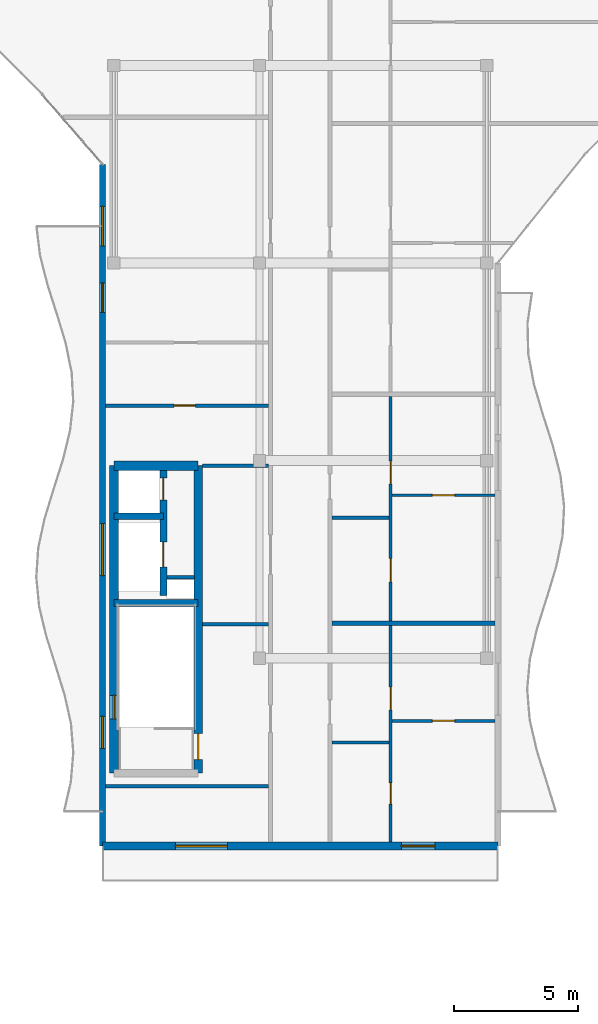
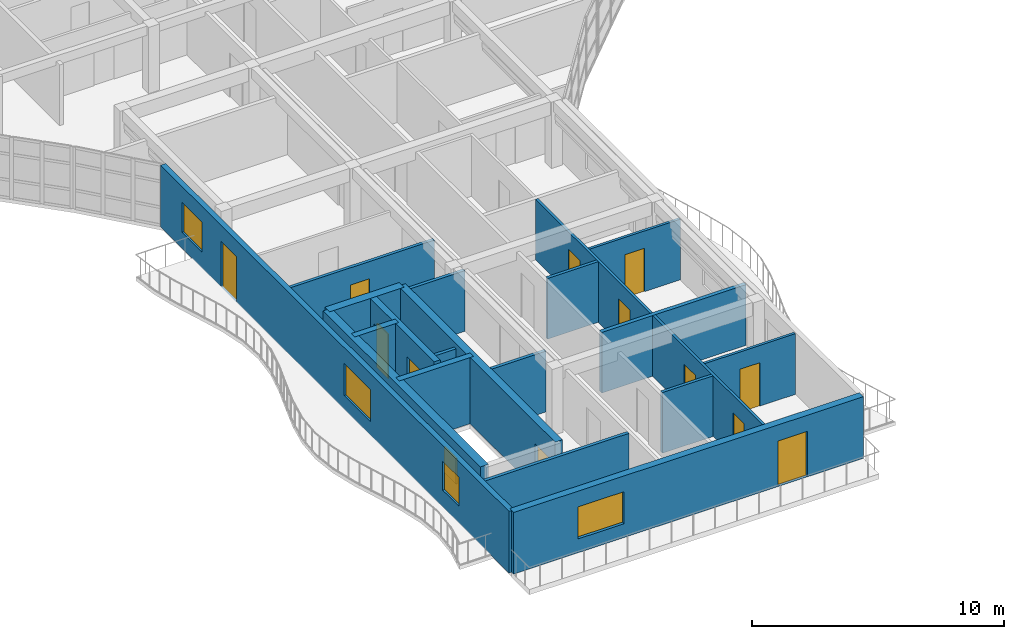
# One storey, part 15 of 30: 20 walls, 12 doors, 5 windows, 17 openings.
"""IFC4 building model written with IfcOpenShell, lengths in metres."""

from ifc_helpers import new_model, si_unit, direction, frame, frame_2d, origin, place, context, subcontext, project, spatial, rectangle, extrude, material, layer, layer_set, type_object, element, fill, save


model = new_model("IFC4")

# Units and contexts
model_context = context("Model", 3, precision=1e-05, world=origin(), true_north=direction((0.0, 1.0)))
body_context = subcontext(model_context, "Body", "Model", "MODEL_VIEW")
ifc_project = project(units=[si_unit("LENGTHUNIT", "METRE"), si_unit("AREAUNIT", "SQUARE_METRE"), si_unit("VOLUMEUNIT", "CUBIC_METRE"), si_unit("PLANEANGLEUNIT", "RADIAN"), si_unit("MASSUNIT", "GRAM", prefix="KILO")], contexts=[model_context])

# Site, building, storey
site_placement = place(None, origin())
site = spatial("IfcSite", under=ifc_project, at=site_placement, CompositionType="ELEMENT")
building_placement = place(site_placement, origin())
building = spatial("IfcBuilding", under=site, at=building_placement, Name="Keldmere Railside Commons", CompositionType="ELEMENT")
storey_placement = place(building_placement, frame((0.0, 0.0, 36.159912109375)))
storey = spatial("IfcBuildingStorey", under=building, at=storey_placement, Name="L11", CompositionType="ELEMENT", Elevation=36.159912109375)

# Wall
ifc_material_1 = material(Name="Acoustic Gypsum Board Partition", Category="gypsum")
ifc_layer_1 = layer(ifc_material_1, 0.179931640625, Name="Acoustic Demising Partition 180")
ifc_layer_set_1 = layer_set([ifc_layer_1], Name="Acoustic Gypsum Board Partition")
wall_type_1 = type_object("IfcWallType", Name="Acoustic Demising Partition 180", PredefinedType="PARTITIONING", material=ifc_layer_set_1)
wall_1_placement = place(storey_placement, frame((113.280029296875, 73.409912109375, 0.0), z_axis=(0.0, 0.0, 1.0), x_axis=(1.0, 0.0, 0.0)))
element("IfcWall", 1, at=wall_1_placement, inside=storey, type_object=wall_type_1, Name="IW-1 IW-L11-1366", PredefinedType="PARTITIONING", context=body_context, shape_type="SweptSolid", body=[
    extrude(rectangle(XDim=6.599853515625, YDim=0.179931640625, at=frame_2d((3.2998046875, 0.0))), origin(), (0.0, 0.0, 1.0), 2.93505859375),
])

# Wall, openings, doors
ifc_layer_2 = layer(ifc_material_1, 0.1201171875, Name="Apartment Interior Partition 120")
ifc_layer_set_2 = layer_set([ifc_layer_2], Name="Acoustic Gypsum Board Partition")
wall_type_2 = type_object("IfcWallType", Name="Apartment Interior Partition 120", PredefinedType="PARTITIONING", material=ifc_layer_set_2)
wall_2_placement = place(storey_placement, frame((115.659912109375, 64.56005859375, 0.0), z_axis=(0.0, 0.0, 1.0), x_axis=(0.0, 1.0, 0.0)))
wall_2 = element("IfcWall", 2, at=wall_2_placement, inside=storey, type_object=wall_type_2, Name="IW-4 IW-L11-1369", PredefinedType="PARTITIONING", context=body_context, shape_type="SweptSolid", body=[
    extrude(rectangle(XDim=8.760009765625, YDim=0.1201171875, at=frame_2d((4.3798828125, 0.0))), origin(), (0.0, 0.0, 1.0), 2.93505859375),
])
opening_1_placement = place(wall_2_placement, frame((1.531494140625, 0.0, 0.0)))
opening_1 = element("IfcOpeningElement", 3, at=opening_1_placement, cuts=wall_2, Name="Opening ID-04", PredefinedType="OPENING", context=body_context, shape_type="SweptSolid", body=[
    extrude(rectangle(XDim=0.860107421875, YDim=2.10009765625, at=frame_2d((0.43017578125, 1.050048828125))), frame((0.0, 0.070068359375, 0.0), z_axis=(0.0, -1.0, 0.0), x_axis=(1.0, 0.0, 0.0)), (0.0, 0.0, 1.0), 0.14013671875),
])
opening_2_placement = place(wall_2_placement, frame((5.3544921875, 0.0, 0.0)))
opening_2 = element("IfcOpeningElement", 4, at=opening_2_placement, cuts=wall_2, Name="Opening ID-03", PredefinedType="OPENING", context=body_context, shape_type="SweptSolid", body=[
    extrude(rectangle(XDim=0.919921875, YDim=2.10009765625, at=frame_2d((0.4599609375, 1.050048828125))), frame((0.0, 0.070068359375, 0.0), z_axis=(0.0, -1.0, 0.0), x_axis=(1.0, 0.0, 0.0)), (0.0, 0.0, 1.0), 0.14013671875),
])
ifc_material_2 = material(Name="Engineered Oak Timber", Category="wood")
door_type_1 = type_object("IfcDoorType", Name="Apartment Bathroom Door 860x2100", OperationType="NOTDEFINED", PredefinedType="DOOR", material=ifc_material_2)
door_1_placement = place(opening_1_placement, origin())
door_1 = element("IfcDoor", 5, at=door_1_placement, inside=storey, type_object=door_type_1, Name="ID-04 IDR-L11-1218", OperationType="SINGLE_SWING_RIGHT", OverallHeight=2.10009765625, OverallWidth=0.860107421875, PredefinedType="DOOR", context=body_context, shape_type="SweptSolid", body=[
    extrude(rectangle(XDim=0.860107421875, YDim=2.10009765625, at=frame_2d((0.43017578125, 1.050048828125))), frame((0.0, 0.02490234375, 0.0), z_axis=(0.0, -1.0, 0.0), x_axis=(1.0, 0.0, 0.0)), (0.0, 0.0, 1.0), 0.050048828125),
])
fill(opening_1, door_1)
door_type_2 = type_object("IfcDoorType", Name="Kitchen Pocket-Frame Swing Door 920x2100", OperationType="NOTDEFINED", PredefinedType="DOOR", material=ifc_material_2)
door_2_placement = place(opening_2_placement, origin())
door_2 = element("IfcDoor", 6, at=door_2_placement, inside=storey, type_object=door_type_2, Name="ID-03 IDR-L11-1219", OperationType="SINGLE_SWING_LEFT", OverallHeight=2.10009765625, OverallWidth=0.919921875, PredefinedType="DOOR", context=body_context, shape_type="SweptSolid", body=[
    extrude(rectangle(XDim=0.919921875, YDim=2.10009765625, at=frame_2d((0.4599609375, 1.050048828125))), frame((0.0, 0.02490234375, 0.0), z_axis=(0.0, -1.0, 0.0), x_axis=(1.0, 0.0, 0.0)), (0.0, 0.0, 1.0), 0.050048828125),
])
fill(opening_2, door_2)

# Wall, opening, door
wall_3_placement = place(storey_placement, frame((115.719970703125, 69.469970703125, 0.0), z_axis=(0.0, 0.0, 1.0), x_axis=(1.0, 0.0, 0.0)))
wall_3 = element("IfcWall", 7, at=wall_3_placement, inside=storey, type_object=wall_type_2, Name="IW-4 IW-L11-1371", PredefinedType="PARTITIONING", context=body_context, shape_type="SweptSolid", body=[
    extrude(rectangle(XDim=4.159912109375, YDim=0.1201171875, at=frame_2d((2.080078125, 0.0))), origin(), (0.0, 0.0, 1.0), 2.93505859375),
])
opening_3_placement = place(wall_3_placement, frame((1.6298828125, 0.0, 0.0)))
opening_3 = element("IfcOpeningElement", 8, at=opening_3_placement, cuts=wall_3, Name="Opening ID-01", PredefinedType="OPENING", context=body_context, shape_type="SweptSolid", body=[
    extrude(rectangle(XDim=0.89990234375, YDim=2.10009765625, at=frame_2d((0.449951171875, 1.050048828125))), frame((0.0, 0.070068359375, 0.0), z_axis=(0.0, -1.0, 0.0), x_axis=(1.0, 0.0, 0.0)), (0.0, 0.0, 1.0), 0.14013671875),
])
door_type_3 = type_object("IfcDoorType", Name="Primary Bedroom Door 900x2100", OperationType="NOTDEFINED", PredefinedType="DOOR", material=ifc_material_2)
door_3_placement = place(opening_3_placement, origin())
door_3 = element("IfcDoor", 9, at=door_3_placement, inside=storey, type_object=door_type_3, Name="ID-01 IDR-L11-1221", OperationType="SINGLE_SWING_LEFT", OverallHeight=2.10009765625, OverallWidth=0.89990234375, PredefinedType="DOOR", context=body_context, shape_type="SweptSolid", body=[
    extrude(rectangle(XDim=0.89990234375, YDim=2.10009765625, at=frame_2d((0.449951171875, 1.050048828125))), frame((0.0, 0.02490234375, 0.0), z_axis=(0.0, -1.0, 0.0), x_axis=(1.0, 0.0, 0.0)), (0.0, 0.0, 1.0), 0.050048828125),
])
fill(opening_3, door_3)

# Wall, openings, doors
wall_4_placement = place(storey_placement, frame((115.659912109375, 73.5, 0.0), z_axis=(0.0, 0.0, 1.0), x_axis=(0.0, 1.0, 0.0)))
wall_4 = element("IfcWall", 10, at=wall_4_placement, inside=storey, type_object=wall_type_2, Name="IW-4 IW-L11-1372", PredefinedType="PARTITIONING", context=body_context, shape_type="SweptSolid", body=[
    extrude(rectangle(XDim=9.10009765625, YDim=0.1201171875, at=frame_2d((4.550048828125, 0.0))), origin(), (0.0, 0.0, 1.0), 2.93505859375),
])
opening_4_placement = place(wall_4_placement, frame((1.59228515625, 0.0, 0.0)))
opening_4 = element("IfcOpeningElement", 11, at=opening_4_placement, cuts=wall_4, Name="Opening ID-05", PredefinedType="OPENING", context=body_context, shape_type="SweptSolid", body=[
    extrude(rectangle(XDim=0.93994140625, YDim=2.10009765625, at=frame_2d((0.469970703125, 1.050048828125))), frame((0.0, 0.070068359375, 0.0), z_axis=(0.0, -1.0, 0.0), x_axis=(1.0, 0.0, 0.0)), (0.0, 0.0, 1.0), 0.14013671875),
])
opening_5_placement = place(wall_4_placement, frame((5.564697265625, 0.0, 0.0)))
opening_5 = element("IfcOpeningElement", 12, at=opening_5_placement, cuts=wall_4, Name="Opening ID-03", PredefinedType="OPENING", context=body_context, shape_type="SweptSolid", body=[
    extrude(rectangle(XDim=0.919921875, YDim=2.10009765625, at=frame_2d((0.4599609375, 1.050048828125))), frame((0.0, 0.070068359375, 0.0), z_axis=(0.0, -1.0, 0.0), x_axis=(1.0, 0.0, 0.0)), (0.0, 0.0, 1.0), 0.14013671875),
])
door_type_4 = type_object("IfcDoorType", Name="Accessible Bathroom Door 940x2100", OperationType="NOTDEFINED", PredefinedType="DOOR", material=ifc_material_2)
door_4_placement = place(opening_4_placement, origin())
door_4 = element("IfcDoor", 13, at=door_4_placement, inside=storey, type_object=door_type_4, Name="ID-05 IDR-L11-1222", OperationType="SINGLE_SWING_RIGHT", OverallHeight=2.10009765625, OverallWidth=0.93994140625, PredefinedType="DOOR", context=body_context, shape_type="SweptSolid", body=[
    extrude(rectangle(XDim=0.93994140625, YDim=2.10009765625, at=frame_2d((0.469970703125, 1.050048828125))), frame((0.0, 0.02490234375, 0.0), z_axis=(0.0, -1.0, 0.0), x_axis=(1.0, 0.0, 0.0)), (0.0, 0.0, 1.0), 0.050048828125),
])
fill(opening_4, door_4)
door_5_placement = place(opening_5_placement, origin())
door_5 = element("IfcDoor", 14, at=door_5_placement, inside=storey, type_object=door_type_2, Name="ID-03 IDR-L11-1223", OperationType="SINGLE_SWING_LEFT", OverallHeight=2.10009765625, OverallWidth=0.919921875, PredefinedType="DOOR", context=body_context, shape_type="SweptSolid", body=[
    extrude(rectangle(XDim=0.919921875, YDim=2.10009765625, at=frame_2d((0.4599609375, 1.050048828125))), frame((0.0, 0.02490234375, 0.0), z_axis=(0.0, -1.0, 0.0), x_axis=(1.0, 0.0, 0.0)), (0.0, 0.0, 1.0), 0.050048828125),
])
fill(opening_5, door_5)

# Wall, opening, door
wall_5_placement = place(storey_placement, frame((115.719970703125, 78.60009765625, 0.0), z_axis=(0.0, 0.0, 1.0), x_axis=(1.0, 0.0, 0.0)))
wall_5 = element("IfcWall", 15, at=wall_5_placement, inside=storey, type_object=wall_type_2, Name="IW-4 IW-L11-1374", PredefinedType="PARTITIONING", context=body_context, shape_type="SweptSolid", body=[
    extrude(rectangle(XDim=4.159912109375, YDim=0.1201171875, at=frame_2d((2.080078125, 0.0))), origin(), (0.0, 0.0, 1.0), 2.93505859375),
])
opening_6_placement = place(wall_5_placement, frame((1.6298828125, 0.0, 0.0)))
opening_6 = element("IfcOpeningElement", 16, at=opening_6_placement, cuts=wall_5, Name="Opening ID-01", PredefinedType="OPENING", context=body_context, shape_type="SweptSolid", body=[
    extrude(rectangle(XDim=0.89990234375, YDim=2.10009765625, at=frame_2d((0.449951171875, 1.050048828125))), frame((0.0, 0.070068359375, 0.0), z_axis=(0.0, -1.0, 0.0), x_axis=(1.0, 0.0, 0.0)), (0.0, 0.0, 1.0), 0.14013671875),
])
door_6_placement = place(opening_6_placement, origin())
door_6 = element("IfcDoor", 17, at=door_6_placement, inside=storey, type_object=door_type_3, Name="ID-01 IDR-L11-1225", OperationType="SINGLE_SWING_LEFT", OverallHeight=2.10009765625, OverallWidth=0.89990234375, PredefinedType="DOOR", context=body_context, shape_type="SweptSolid", body=[
    extrude(rectangle(XDim=0.89990234375, YDim=2.10009765625, at=frame_2d((0.449951171875, 1.050048828125))), frame((0.0, 0.02490234375, 0.0), z_axis=(0.0, -1.0, 0.0), x_axis=(1.0, 0.0, 0.0)), (0.0, 0.0, 1.0), 0.050048828125),
])
fill(opening_6, door_6)

# Walls
ifc_material_3 = material(Name="Concrete H-35 (C35/45)", Category="concrete")
ifc_layer_3 = layer(ifc_material_3, 0.280029296875, Name="Core Shear Wall 280")
ifc_layer_set_3 = layer_set([ifc_layer_3], Name="Concrete H-35 (C35/45)")
wall_type_3 = type_object("IfcWallType", Name="Core Shear Wall 280", PredefinedType="SHEAR", material=ifc_layer_set_3)
wall_6_placement = place(storey_placement, frame((104.4599609375, 74.239990234375, 0.0), z_axis=(0.0, 0.0, 1.0), x_axis=(1.0, 0.0, 0.0)))
element("IfcWall", 18, at=wall_6_placement, inside=storey, type_object=wall_type_3, Name="CSW-2 COREBM-L11-0568", PredefinedType="SHEAR", context=body_context, shape_type="SweptSolid", body=[
    extrude(rectangle(XDim=3.41015625, YDim=0.280029296875, at=frame_2d((1.705078125, 0.0))), origin(), (0.0, 0.0, 1.0), 3.2001953125),
])
wall_7_placement = place(storey_placement, frame((104.4599609375, 77.75, 0.0), z_axis=(0.0, 0.0, 1.0), x_axis=(1.0, 0.0, 0.0)))
element("IfcWall", 19, at=wall_7_placement, inside=storey, type_object=wall_type_3, Name="CSW-2 COREBL-L11-0569", PredefinedType="SHEAR", context=body_context, shape_type="SweptSolid", body=[
    extrude(rectangle(XDim=2.0, YDim=0.280029296875, at=frame_2d((1.0, 0.0))), origin(), (0.0, 0.0, 1.0), 3.2001953125),
])

# Wall, openings, doors
wall_8_placement = place(storey_placement, frame((106.4599609375, 74.550048828125, 0.0), z_axis=(0.0, 0.0, 1.0), x_axis=(0.0, 1.0, 0.0)))
wall_8 = element("IfcWall", 20, at=wall_8_placement, inside=storey, type_object=wall_type_3, Name="CSW-2 LSHB-L11-0570", PredefinedType="SHEAR", context=body_context, shape_type="SweptSolid", body=[
    extrude(rectangle(XDim=5.25, YDim=0.280029296875, at=frame_2d((2.625, 0.0))), origin(), (0.0, 0.0, 1.0), 3.2001953125),
])
opening_7_placement = place(wall_8_placement, frame((1.14990234375, 0.0, 0.0)))
opening_7 = element("IfcOpeningElement", 21, at=opening_7_placement, cuts=wall_8, Name="Opening LD-1", PredefinedType="OPENING", context=body_context, shape_type="SweptSolid", body=[
    extrude(rectangle(XDim=1.0, YDim=2.14990234375, at=frame_2d((0.5, 1.074951171875))), frame((0.0, 0.14990234375, 0.0), z_axis=(0.0, -1.0, 0.0), x_axis=(1.0, 0.0, 0.0)), (0.0, 0.0, 1.0), 0.300048828125),
])
opening_8_placement = place(wall_8_placement, frame((3.85009765625, 0.0, 0.0)))
opening_8 = element("IfcOpeningElement", 22, at=opening_8_placement, cuts=wall_8, Name="Opening LD-2", PredefinedType="OPENING", context=body_context, shape_type="SweptSolid", body=[
    extrude(rectangle(XDim=0.89990234375, YDim=2.14990234375, at=frame_2d((0.449951171875, 1.074951171875))), frame((0.0, 0.14990234375, 0.0), z_axis=(0.0, -1.0, 0.0), x_axis=(1.0, 0.0, 0.0)), (0.0, 0.0, 1.0), 0.300048828125),
])
ifc_material_4 = material(Name="Steel F-24 (S235)", Category="steel")
door_type_5 = type_object("IfcDoorType", Name="Firefighting Stretcher Lift Landing Door 1000x2150", OperationType="SLIDING_TO_LEFT", PredefinedType="DOOR", material=ifc_material_4)
door_7_placement = place(opening_7_placement, origin())
door_7 = element("IfcDoor", 23, at=door_7_placement, inside=storey, type_object=door_type_5, Name="LD-1 B L11", OperationType="SLIDING_TO_LEFT", OverallHeight=2.14990234375, OverallWidth=1.0, PredefinedType="DOOR", context=body_context, shape_type="SweptSolid", body=[
    extrude(rectangle(XDim=1.0, YDim=2.14990234375, at=frame_2d((0.5, 1.074951171875))), frame((0.0, 0.02490234375, 0.0), z_axis=(0.0, -1.0, 0.0), x_axis=(1.0, 0.0, 0.0)), (0.0, 0.0, 1.0), 0.050048828125),
])
fill(opening_7, door_7)
door_type_6 = type_object("IfcDoorType", Name="Passenger Lift Sliding Landing Door 900x2150", OperationType="SLIDING_TO_RIGHT", PredefinedType="DOOR", material=ifc_material_4)
door_8_placement = place(opening_8_placement, origin())
door_8 = element("IfcDoor", 24, at=door_8_placement, inside=storey, type_object=door_type_6, Name="LD-2 B L11", OperationType="SLIDING_TO_RIGHT", OverallHeight=2.14990234375, OverallWidth=0.89990234375, PredefinedType="DOOR", context=body_context, shape_type="SweptSolid", body=[
    extrude(rectangle(XDim=0.89990234375, YDim=2.14990234375, at=frame_2d((0.449951171875, 1.074951171875))), frame((0.0, 0.02490234375, 0.0), z_axis=(0.0, -1.0, 0.0), x_axis=(1.0, 0.0, 0.0)), (0.0, 0.0, 1.0), 0.050048828125),
])
fill(opening_8, door_8)

# Wall, opening, window
ifc_material_5 = material(Name="Concrete H-40 (C40/50)", Category="concrete")
ifc_layer_4 = layer(ifc_material_5, 0.3798828125, Name="Core Shear Wall 380")
ifc_layer_set_4 = layer_set([ifc_layer_4], Name="Concrete H-40 (C40/50)")
wall_type_4 = type_object("IfcWallType", Name="Core Shear Wall 380", PredefinedType="SHEAR", material=ifc_layer_set_4)
wall_9_placement = place(storey_placement, frame((104.4599609375, 67.35009765625, 0.0), z_axis=(0.0, 0.0, 1.0), x_axis=(0.0, 1.0, 0.0)))
wall_9 = element("IfcWall", 25, at=wall_9_placement, inside=storey, type_object=wall_type_4, Name="CW-CORE COREBW-L11-0564", PredefinedType="SHEAR", context=body_context, shape_type="SweptSolid", body=[
    extrude(rectangle(XDim=12.449951171875, YDim=0.3798828125, at=frame_2d((6.22509765625, 0.0))), origin(), (0.0, 0.0, 1.0), 3.2001953125),
])
opening_9_placement = place(wall_9_placement, frame((2.199951171875, 0.0, 0.969970703125)))
opening_9 = element("IfcOpeningElement", 26, at=opening_9_placement, cuts=wall_9, Name="Opening WN-17", PredefinedType="OPENING", context=body_context, shape_type="SweptSolid", body=[
    extrude(rectangle(XDim=0.949951171875, YDim=1.25, at=frame_2d((0.47509765625, 0.625))), frame((0.0, 0.199951171875, 0.0), z_axis=(0.0, -1.0, 0.0), x_axis=(1.0, 0.0, 0.0)), (0.0, 0.0, 1.0), 0.39990234375),
])
ifc_material_6 = material(Name="Low-E Insulated Double Glazing", Category="glass")
window_type_1 = type_object("IfcWindowType", Name="Stair Core Natural Smoke-Vent Window 950x1250", PartitioningType="SINGLE_PANEL", PredefinedType="WINDOW", material=ifc_material_6)
window_1_placement = place(opening_9_placement, origin())
window_1 = element("IfcWindow", 27, at=window_1_placement, inside=storey, type_object=window_type_1, Name="WN-17 WIN-L11-0348", OverallHeight=1.25, OverallWidth=0.949951171875, PartitioningType="SINGLE_PANEL", PredefinedType="WINDOW", context=body_context, shape_type="SweptSolid", body=[
    extrude(rectangle(XDim=0.949951171875, YDim=1.25, at=frame_2d((0.47509765625, 0.625))), frame((0.0, 0.030029296875, 0.0), z_axis=(0.0, -1.0, 0.0), x_axis=(1.0, 0.0, 0.0)), (0.0, 0.0, 1.0), 0.06005859375),
])
fill(opening_9, window_1)

# Wall
wall_10_placement = place(storey_placement, frame((104.4599609375, 79.800048828125, 0.0), z_axis=(0.0, 0.0, 1.0), x_axis=(1.0, 0.0, 0.0)))
element("IfcWall", 28, at=wall_10_placement, inside=storey, type_object=wall_type_4, Name="CW-CORE COREBN-L11-0565", PredefinedType="SHEAR", context=body_context, shape_type="SweptSolid", body=[
    extrude(rectangle(XDim=3.41015625, YDim=0.3798828125, at=frame_2d((1.705078125, 0.0))), origin(), (0.0, 0.0, 1.0), 3.2001953125),
])

# Wall, openings, door, window
ifc_layer_5 = layer(ifc_material_3, 0.320068359375, Name="Exterior Shear Wall 320")
ifc_layer_set_5 = layer_set([ifc_layer_5], Name="Concrete H-35 (C35/45)")
wall_type_5 = type_object("IfcWallType", Name="Exterior Shear Wall 320", PredefinedType="SHEAR", material=ifc_layer_set_5)
wall_11_placement = place(storey_placement, frame((120.0, 64.39990234375, 0.0), z_axis=(0.0, 0.0, 1.0), x_axis=(-1.0, 0.0, 0.0)))
wall_11 = element("IfcWall", 29, at=wall_11_placement, inside=storey, type_object=wall_type_5, Name="ESW-2 EXTB-L11-0673", PredefinedType="SHEAR", context=body_context, shape_type="SweptSolid", body=[
    extrude(rectangle(XDim=16.0, YDim=0.320068359375, at=frame_2d((8.0, 0.0))), origin(), (0.0, 0.0, 1.0), 2.97998046875),
])
opening_10_placement = place(wall_11_placement, frame((2.550048828125, 0.0, 0.0)))
opening_10 = element("IfcOpeningElement", 30, at=opening_10_placement, cuts=wall_11, Name="Opening BD-03", PredefinedType="OPENING", context=body_context, shape_type="SweptSolid", body=[
    extrude(rectangle(XDim=1.35009765625, YDim=2.199951171875, at=frame_2d((0.675048828125, 1.10009765625))), frame((0.0, 0.169921875, 0.0), z_axis=(0.0, -1.0, 0.0), x_axis=(1.0, 0.0, 0.0)), (0.0, 0.0, 1.0), 0.340087890625),
])
opening_11_placement = place(wall_11_placement, frame((10.949951171875, 0.0, 0.669921875)))
opening_11 = element("IfcOpeningElement", 31, at=opening_11_placement, cuts=wall_11, Name="Opening WN-11", PredefinedType="OPENING", context=body_context, shape_type="SweptSolid", body=[
    extrude(rectangle(XDim=2.10009765625, YDim=1.550048828125, at=frame_2d((1.050048828125, 0.77490234375))), frame((0.0, 0.169921875, 0.0), z_axis=(0.0, -1.0, 0.0), x_axis=(1.0, 0.0, 0.0)), (0.0, 0.0, 1.0), 0.340087890625),
])
ifc_material_7 = material(Name="Thermally Broken Aluminium", Category="aluminium")
door_type_7 = type_object("IfcDoorType", Name="Planted Roof-Terrace Lounge Door 1350x2200", OperationType="NOTDEFINED", PredefinedType="DOOR", material=ifc_material_7)
door_9_placement = place(opening_10_placement, origin())
door_9 = element("IfcDoor", 32, at=door_9_placement, inside=storey, type_object=door_type_7, Name="BD-03 DR-L11-0206", OperationType="SINGLE_SWING_RIGHT", OverallHeight=2.199951171875, OverallWidth=1.35009765625, PredefinedType="DOOR", context=body_context, shape_type="SweptSolid", body=[
    extrude(rectangle(XDim=1.35009765625, YDim=2.199951171875, at=frame_2d((0.675048828125, 1.10009765625))), frame((0.0, 0.02490234375, 0.0), z_axis=(0.0, -1.0, 0.0), x_axis=(1.0, 0.0, 0.0)), (0.0, 0.0, 1.0), 0.050048828125),
])
fill(opening_10, door_9)
window_type_2 = type_object("IfcWindowType", Name="Studio Wide Casement Window 2100x1550", PartitioningType="SINGLE_PANEL", PredefinedType="WINDOW", material=ifc_material_6)
window_2_placement = place(opening_11_placement, origin())
window_2 = element("IfcWindow", 33, at=window_2_placement, inside=storey, type_object=window_type_2, Name="WN-11 WIN-L11-0541", OverallHeight=1.550048828125, OverallWidth=2.10009765625, PartitioningType="SINGLE_PANEL", PredefinedType="WINDOW", context=body_context, shape_type="SweptSolid", body=[
    extrude(rectangle(XDim=2.10009765625, YDim=1.550048828125, at=frame_2d((1.050048828125, 0.77490234375))), frame((0.0, 0.030029296875, 0.0), z_axis=(0.0, -1.0, 0.0), x_axis=(1.0, 0.0, 0.0)), (0.0, 0.0, 1.0), 0.06005859375),
])
fill(opening_11, window_2)

# Wall, opening, door
ifc_layer_6 = layer(ifc_material_3, 0.340087890625, Name="Interior Shear Wall 340")
ifc_layer_set_6 = layer_set([ifc_layer_6], Name="Concrete H-35 (C35/45)")
wall_type_6 = type_object("IfcWallType", Name="Interior Shear Wall 340", PredefinedType="SHEAR", material=ifc_layer_set_6)
wall_12_placement = place(storey_placement, frame((107.8701171875, 79.800048828125, 0.0), z_axis=(0.0, 0.0, 1.0), x_axis=(0.0, -1.0, 0.0)))
wall_12 = element("IfcWall", 34, at=wall_12_placement, inside=storey, type_object=wall_type_6, Name="ISW-1 COREBE-L11-0566", PredefinedType="SHEAR", context=body_context, shape_type="SweptSolid", body=[
    extrude(rectangle(XDim=12.449951171875, YDim=0.340087890625, at=frame_2d((6.22509765625, 0.0))), origin(), (0.0, 0.0, 1.0), 3.2001953125),
])
opening_12_placement = place(wall_12_placement, frame((10.85009765625, 0.0, 0.0)))
opening_12 = element("IfcOpeningElement", 35, at=opening_12_placement, cuts=wall_12, Name="Opening FD-1", PredefinedType="OPENING", context=body_context, shape_type="SweptSolid", body=[
    extrude(rectangle(XDim=1.050048828125, YDim=2.14990234375, at=frame_2d((0.52490234375, 1.074951171875))), frame((0.0, 0.179931640625, 0.0), z_axis=(0.0, -1.0, 0.0), x_axis=(1.0, 0.0, 0.0)), (0.0, 0.0, 1.0), 0.360107421875),
])
door_type_8 = type_object("IfcDoorType", Name="Stair Core Fire Door 1050x2150", OperationType="NOTDEFINED", PredefinedType="DOOR", material=ifc_material_4)
door_10_placement = place(opening_12_placement, origin())
door_10 = element("IfcDoor", 36, at=door_10_placement, inside=storey, type_object=door_type_8, Name="FD-1 B1 L11", OperationType="SINGLE_SWING_LEFT", OverallHeight=2.14990234375, OverallWidth=1.050048828125, PredefinedType="DOOR", context=body_context, shape_type="SweptSolid", body=[
    extrude(rectangle(XDim=1.050048828125, YDim=2.14990234375, at=frame_2d((0.52490234375, 1.074951171875))), frame((0.0, 0.02490234375, 0.0), z_axis=(0.0, -1.0, 0.0), x_axis=(1.0, 0.0, 0.0)), (0.0, 0.0, 1.0), 0.050048828125),
])
fill(opening_12, door_10)

# Walls
ifc_layer_7 = layer(ifc_material_1, 0.14990234375, Name="Lobby Rated Partition 150")
ifc_layer_set_7 = layer_set([ifc_layer_7], Name="Acoustic Gypsum Board Partition")
wall_type_7 = type_object("IfcWallType", Name="Lobby Rated Partition 150", PredefinedType="PARTITIONING", material=ifc_layer_set_7)
wall_13_placement = place(storey_placement, frame((106.60009765625, 75.280029296875, 0.0), z_axis=(0.0, 0.0, 1.0), x_axis=(1.0, 0.0, 0.0)))
element("IfcWall", 37, at=wall_13_placement, inside=storey, type_object=wall_type_7, Name="IW-3 RSRNB-L11-0571", PredefinedType="PARTITIONING", context=body_context, shape_type="SweptSolid", body=[
    extrude(rectangle(XDim=1.1298828125, YDim=0.14990234375, at=frame_2d((0.56494140625, 0.0))), origin(), (0.0, 0.0, 1.0), 2.9501953125),
])
wall_14_placement = place(storey_placement, frame((104.1201171875, 66.820068359375, 0.0), z_axis=(0.0, 0.0, 1.0), x_axis=(1.0, 0.0, 0.0)))
element("IfcWall", 38, at=wall_14_placement, inside=storey, type_object=wall_type_7, Name="IW-3 IW-L11-1354", PredefinedType="PARTITIONING", context=body_context, shape_type="SweptSolid", body=[
    extrude(rectangle(XDim=6.599853515625, YDim=0.14990234375, at=frame_2d((3.2998046875, 0.0))), origin(), (0.0, 0.0, 1.0), 2.93505859375),
])
for number, where, z_axis, x_axis, name in (
    (39, (108.0400390625, 73.3798828125, 0.0), (0.0, 0.0, 1.0), (1.0, 0.0, 0.0), "IW-3 IW-L11-1355"),
    (40, (108.0400390625, 79.800048828125, 0.0), (0.0, 0.0, 1.0), (1.0, 0.0, 0.0), "IW-3 IW-L11-1356"),
):
    element("IfcWall", number, at=place(storey_placement, frame(where, z_axis=z_axis, x_axis=x_axis)), inside=storey, type_object=wall_type_7, Name=name, PredefinedType="PARTITIONING", context=body_context, shape_type="SweptSolid", body=[
        extrude(rectangle(XDim=2.679931640625, YDim=0.14990234375, at=frame_2d((1.33984375, 0.0))), origin(), (0.0, 0.0, 1.0), 2.93505859375),
    ])

# Wall, openings, door, windows
ifc_material_8 = material(Name="Architectural Precast Concrete H-35 (C35/45)", Category="concrete")
ifc_layer_8 = layer(ifc_material_8, 0.239990234375, Name="Sand-Ochre Precast Cavity Wall 240")
ifc_layer_set_8 = layer_set([ifc_layer_8], Name="Architectural Precast Concrete H-35 (C35/45)")
wall_type_8 = type_object("IfcWallType", Name="Sand-Ochre Precast Cavity Wall 240", PredefinedType="SOLIDWALL", material=ifc_layer_set_8)
wall_15_placement = place(storey_placement, frame((104.0, 64.39990234375, 0.0), z_axis=(0.0, 0.0, 1.0), x_axis=(0.0, 1.0, 0.0)))
wall_15 = element("IfcWall", 41, at=wall_15_placement, inside=storey, type_object=wall_type_8, Name="EW-2 EXTB-L11-0680", PredefinedType="SOLIDWALL", context=body_context, shape_type="SweptSolid", body=[
    extrude(rectangle(XDim=27.60009765625, YDim=0.239990234375, at=frame_2d((13.800048828125, 0.0))), origin(), (0.0, 0.0, 1.0), 2.97998046875),
])
opening_13_placement = place(wall_15_placement, frame((3.949951171875, 0.0, 0.820068359375)))
opening_13 = element("IfcOpeningElement", 42, at=opening_13_placement, cuts=wall_15, Name="Opening WN-10", PredefinedType="OPENING", context=body_context, shape_type="SweptSolid", body=[
    extrude(rectangle(XDim=1.300048828125, YDim=1.39990234375, at=frame_2d((0.64990234375, 0.699951171875))), frame((0.0, 0.1298828125, 0.0), z_axis=(0.0, -1.0, 0.0), x_axis=(1.0, 0.0, 0.0)), (0.0, 0.0, 1.0), 0.260009765625),
])
opening_14_placement = place(wall_15_placement, frame((10.949951171875, 0.0, 0.669921875)))
opening_14 = element("IfcOpeningElement", 43, at=opening_14_placement, cuts=wall_15, Name="Opening WN-11", PredefinedType="OPENING", context=body_context, shape_type="SweptSolid", body=[
    extrude(rectangle(XDim=2.10009765625, YDim=1.550048828125, at=frame_2d((1.050048828125, 0.77490234375))), frame((0.0, 0.1298828125, 0.0), z_axis=(0.0, -1.0, 0.0), x_axis=(1.0, 0.0, 0.0)), (0.0, 0.0, 1.0), 0.260009765625),
])
opening_15_placement = place(wall_15_placement, frame((21.60009765625, 0.0, 0.0)))
opening_15 = element("IfcOpeningElement", 44, at=opening_15_placement, cuts=wall_15, Name="Opening BD-01", PredefinedType="OPENING", context=body_context, shape_type="SweptSolid", body=[
    extrude(rectangle(XDim=1.199951171875, YDim=2.199951171875, at=frame_2d((0.60009765625, 1.10009765625))), frame((0.0, 0.1298828125, 0.0), z_axis=(0.0, -1.0, 0.0), x_axis=(1.0, 0.0, 0.0)), (0.0, 0.0, 1.0), 0.260009765625),
])
opening_16_placement = place(wall_15_placement, frame((24.300048828125, 0.0, 0.77001953125)))
opening_16 = element("IfcOpeningElement", 45, at=opening_16_placement, cuts=wall_15, Name="Opening WN-04", PredefinedType="OPENING", context=body_context, shape_type="SweptSolid", body=[
    extrude(rectangle(XDim=1.60009765625, YDim=1.449951171875, at=frame_2d((0.800048828125, 0.72509765625))), frame((0.0, 0.1298828125, 0.0), z_axis=(0.0, -1.0, 0.0), x_axis=(1.0, 0.0, 0.0)), (0.0, 0.0, 1.0), 0.260009765625),
])
door_type_9 = type_object("IfcDoorType", Name="Apartment Living Wave-Balcony Glazed Door 1200x2200", OperationType="NOTDEFINED", PredefinedType="DOOR", material=ifc_material_7)
door_11_placement = place(opening_15_placement, origin())
door_11 = element("IfcDoor", 46, at=door_11_placement, inside=storey, type_object=door_type_9, Name="BD-01 DR-L11-0213", OperationType="SINGLE_SWING_LEFT", OverallHeight=2.199951171875, OverallWidth=1.199951171875, PredefinedType="DOOR", context=body_context, shape_type="SweptSolid", body=[
    extrude(rectangle(XDim=1.199951171875, YDim=2.199951171875, at=frame_2d((0.60009765625, 1.10009765625))), frame((0.0, 0.02490234375, 0.0), z_axis=(0.0, -1.0, 0.0), x_axis=(1.0, 0.0, 0.0)), (0.0, 0.0, 1.0), 0.050048828125),
])
fill(opening_15, door_11)
window_type_3 = type_object("IfcWindowType", Name="Living Room West Shaded Window 1600x1450", PartitioningType="SINGLE_PANEL", PredefinedType="WINDOW", material=ifc_material_6)
window_3_placement = place(opening_16_placement, origin())
window_3 = element("IfcWindow", 47, at=window_3_placement, inside=storey, type_object=window_type_3, Name="WN-04 WIN-L11-0555", OverallHeight=1.449951171875, OverallWidth=1.60009765625, PartitioningType="SINGLE_PANEL", PredefinedType="WINDOW", context=body_context, shape_type="SweptSolid", body=[
    extrude(rectangle(XDim=1.60009765625, YDim=1.449951171875, at=frame_2d((0.800048828125, 0.72509765625))), frame((0.0, 0.030029296875, 0.0), z_axis=(0.0, -1.0, 0.0), x_axis=(1.0, 0.0, 0.0)), (0.0, 0.0, 1.0), 0.06005859375),
])
fill(opening_16, window_3)
window_type_4 = type_object("IfcWindowType", Name="Secondary Bedroom Court Window 1300x1400", PartitioningType="SINGLE_PANEL", PredefinedType="WINDOW", material=ifc_material_6)
window_4_placement = place(opening_13_placement, origin())
window_4 = element("IfcWindow", 48, at=window_4_placement, inside=storey, type_object=window_type_4, Name="WN-10 WIN-L11-0553", OverallHeight=1.39990234375, OverallWidth=1.300048828125, PartitioningType="SINGLE_PANEL", PredefinedType="WINDOW", context=body_context, shape_type="SweptSolid", body=[
    extrude(rectangle(XDim=1.300048828125, YDim=1.39990234375, at=frame_2d((0.64990234375, 0.699951171875))), frame((0.0, 0.030029296875, 0.0), z_axis=(0.0, -1.0, 0.0), x_axis=(1.0, 0.0, 0.0)), (0.0, 0.0, 1.0), 0.06005859375),
])
fill(opening_13, window_4)
window_5_placement = place(opening_14_placement, origin())
window_5 = element("IfcWindow", 49, at=window_5_placement, inside=storey, type_object=window_type_2, Name="WN-11 WIN-L11-0554", OverallHeight=1.550048828125, OverallWidth=2.10009765625, PartitioningType="SINGLE_PANEL", PredefinedType="WINDOW", context=body_context, shape_type="SweptSolid", body=[
    extrude(rectangle(XDim=2.10009765625, YDim=1.550048828125, at=frame_2d((1.050048828125, 0.77490234375))), frame((0.0, 0.030029296875, 0.0), z_axis=(0.0, -1.0, 0.0), x_axis=(1.0, 0.0, 0.0)), (0.0, 0.0, 1.0), 0.06005859375),
])
fill(opening_14, window_5)

# Walls
ifc_layer_9 = layer(ifc_material_1, 0.139892578125, Name="Wet-Room Sanitary Partition 140")
ifc_layer_set_9 = layer_set([ifc_layer_9], Name="Acoustic Gypsum Board Partition")
wall_type_9 = type_object("IfcWallType", Name="Wet-Room Sanitary Partition 140", PredefinedType="PARTITIONING", material=ifc_layer_set_9)
for number, where, z_axis, x_axis, name in (
    (50, (113.280029296875, 68.590087890625, 0.0), (0.0, 0.0, 1.0), (1.0, 0.0, 0.0), "IW-5 IW-L11-1370"),
    (51, (113.280029296875, 77.68994140625, 0.0), (0.0, 0.0, 1.0), (1.0, 0.0, 0.0), "IW-5 IW-L11-1373"),
):
    element("IfcWall", number, at=place(storey_placement, frame(where, z_axis=z_axis, x_axis=x_axis)), inside=storey, type_object=wall_type_9, Name=name, PredefinedType="PARTITIONING", context=body_context, shape_type="SweptSolid", body=[
        extrude(rectangle(XDim=2.320068359375, YDim=0.139892578125, at=frame_2d((1.16015625, 0.0))), origin(), (0.0, 0.0, 1.0), 2.93505859375),
    ])

# Wall, opening, door
wall_16_placement = place(storey_placement, frame((104.1201171875, 82.22998046875, 0.0), z_axis=(0.0, 0.0, 1.0), x_axis=(1.0, 0.0, 0.0)))
wall_16 = element("IfcWall", 52, at=wall_16_placement, inside=storey, type_object=wall_type_9, Name="IW-5 IW-L11-1397", PredefinedType="PARTITIONING", context=body_context, shape_type="SweptSolid", body=[
    extrude(rectangle(XDim=6.599853515625, YDim=0.139892578125, at=frame_2d((3.2998046875, 0.0))), origin(), (0.0, 0.0, 1.0), 2.93505859375),
])
opening_17_placement = place(wall_16_placement, frame((2.77197265625, 0.0, 0.0)))
opening_17 = element("IfcOpeningElement", 53, at=opening_17_placement, cuts=wall_16, Name="Opening ID-04", PredefinedType="OPENING", context=body_context, shape_type="SweptSolid", body=[
    extrude(rectangle(XDim=0.860107421875, YDim=2.10009765625, at=frame_2d((0.43017578125, 1.050048828125))), frame((0.0, 0.079833984375, 0.0), z_axis=(0.0, -1.0, 0.0), x_axis=(1.0, 0.0, 0.0)), (0.0, 0.0, 1.0), 0.159912109375),
])
door_12_placement = place(opening_17_placement, origin())
door_12 = element("IfcDoor", 54, at=door_12_placement, inside=storey, type_object=door_type_1, Name="ID-04 IDR-L11-1251", OperationType="SINGLE_SWING_LEFT", OverallHeight=2.10009765625, OverallWidth=0.860107421875, PredefinedType="DOOR", context=body_context, shape_type="SweptSolid", body=[
    extrude(rectangle(XDim=0.860107421875, YDim=2.10009765625, at=frame_2d((0.43017578125, 1.050048828125))), frame((0.0, 0.02490234375, 0.0), z_axis=(0.0, -1.0, 0.0), x_axis=(1.0, 0.0, 0.0)), (0.0, 0.0, 1.0), 0.050048828125),
])
fill(opening_17, door_12)

save(model, "model.ifc")
